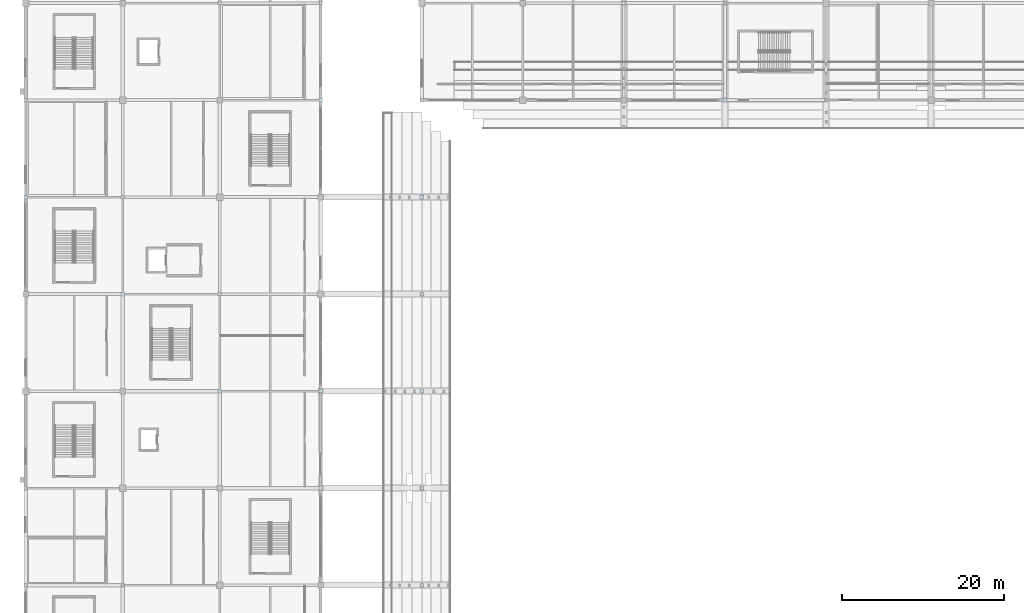
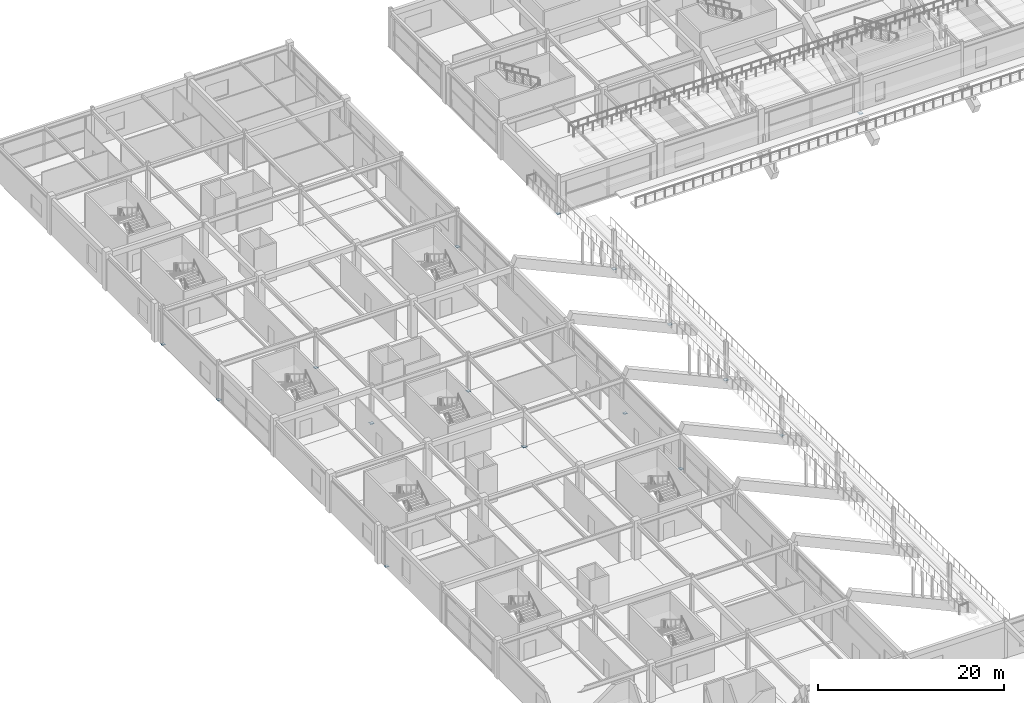
# One storey, part 78 of 128: 16 plates.
"""IFC4 building model written with IfcOpenShell, lengths in metres."""

import ifcopenshell
import ifcopenshell.guid

model = None  # the IFC model being written
_history = None  # IfcOwnerHistory: only IFC2X3 demands one
_inside = {}  # id of a spatial element -> (the spatial element, [elements in it])
_under = {}  # id of a project, library or spatial element -> (it, [spatial elements below it])
_declared = {}  # id of a project -> (the project, [libraries it declares])
_typed = {}  # id of a type object -> (the type object, [elements of that type])
_made_of = {}  # id of a material, layer set ... -> (it, [elements and type objects made of it])


def new_model(schema):
    """Start an empty IFC model of exactly this schema.

    Asked for "IFC4X3", IfcOpenShell would pick the latest addendum, in which some entities
    have other attributes; the version numbers below select the first issue.
    IFC2X3 requires an IfcOwnerHistory on every rooted entity: one is made here for all.
    """
    global model, _history
    if schema == "IFC4X3":
        model = ifcopenshell.file(schema_version=(4, 3, 0, 0))
    else:
        model = ifcopenshell.file(schema=schema)
    _inside.clear()
    _under.clear()
    _declared.clear()
    _typed.clear()
    _made_of.clear()
    _history = None
    if model.schema == "IFC2X3":
        org = make("IfcOrganization", Name="unknown")
        user = make(
            "IfcPersonAndOrganization",
            ThePerson=make("IfcPerson", FamilyName="unknown"),
            TheOrganization=org,
        )
        app = make(
            "IfcApplication",
            ApplicationDeveloper=org,
            Version="unknown",
            ApplicationFullName="unknown",
            ApplicationIdentifier="unknown",
        )
        _history = make(
            "IfcOwnerHistory",
            OwningUser=user,
            OwningApplication=app,
            ChangeAction="ADDED",
            CreationDate=0,
        )
    return model


def make(cls, **values):
    """One entity of the class cls with the attributes given. An attribute that is None is left unset."""
    return model.create_entity(
        cls, **{name: value for name, value in values.items() if value is not None}
    )


def rooted(cls, **values):
    """An entity with a GlobalId (a new one), such as an element, a storey or a relation."""
    return make(cls, GlobalId=ifcopenshell.guid.new(), OwnerHistory=_history, **values)


def si_unit(unit_type, name, prefix=None):
    """IfcSIUnit, for example si_unit("LENGTHUNIT", "METRE", prefix="MILLI")."""
    return make("IfcSIUnit", UnitType=unit_type, Prefix=prefix, Name=name)


def assignment(units):
    """IfcUnitAssignment: the units of a project."""
    return None if units is None else make("IfcUnitAssignment", Units=units)


def point(xyz):
    """IfcCartesianPoint."""
    return None if xyz is None else make("IfcCartesianPoint", Coordinates=xyz)


def direction(xyz):
    """IfcDirection."""
    return None if xyz is None else make("IfcDirection", DirectionRatios=xyz)


def frame(location, z_axis=None, x_axis=None):
    """IfcAxis2Placement3D, a coordinate frame: its origin and axes. An axis left out is left unset."""
    return make(
        "IfcAxis2Placement3D",
        Location=point(location),
        Axis=direction(z_axis),
        RefDirection=direction(x_axis),
    )


def frame_2d(location, x_axis=None):
    """IfcAxis2Placement2D, a coordinate frame in the plane: its origin and x axis."""
    return make(
        "IfcAxis2Placement2D", Location=point(location), RefDirection=direction(x_axis)
    )


def origin():
    """The frame at (0, 0, 0) with its axes left unset."""
    return frame((0.0, 0.0, 0.0))


def origin_2d():
    """The frame at (0, 0) in the plane with its x axis left unset."""
    return frame_2d((0.0, 0.0))


def place(relative_to, where):
    """IfcLocalPlacement: puts the frame where relative to a parent placement (None: the world)."""
    return make(
        "IfcLocalPlacement", PlacementRelTo=relative_to, RelativePlacement=where
    )


def context(
    kind, dimensions, precision=None, world=None, true_north=None, identifier=None
):
    """IfcGeometricRepresentationContext, for example the 3D "Model" context."""
    return make(
        "IfcGeometricRepresentationContext",
        ContextIdentifier=identifier,
        ContextType=kind,
        CoordinateSpaceDimension=dimensions,
        Precision=precision,
        WorldCoordinateSystem=world,
        TrueNorth=true_north,
    )


def subcontext(parent, identifier, kind, view, scale=None):
    """IfcGeometricRepresentationSubContext, for example "Body" below "Model"."""
    return make(
        "IfcGeometricRepresentationSubContext",
        ContextIdentifier=identifier,
        ContextType=kind,
        ParentContext=parent,
        TargetScale=scale,
        TargetView=view,
    )


def project(units=None, contexts=None):
    """IfcProject with its units and contexts."""
    return rooted(
        "IfcProject",
        Name="project",
        RepresentationContexts=contexts,
        UnitsInContext=assignment(units),
    )


def spatial(cls, under=None, at=None, **own):
    """A site, building, storey or space (cls), placed at a placement, below another one or the project."""
    s = rooted(cls, ObjectPlacement=at, **own)
    if under is not None:
        _under.setdefault(under.id(), (under, []))[1].append(s)
    return s


def profile(cls, at=None, kind="AREA", **sizes):
    """A parametric profile (cls). Its sizes go by their IFC names, for example OverallWidth=200.0."""
    return make(cls, ProfileType=kind, Position=at, **sizes)


def rectangle(**sizes):
    """IfcRectangleProfileDef."""
    return profile("IfcRectangleProfileDef", **sizes)


def extrude(swept, where, along, depth):
    """IfcExtrudedAreaSolid: the profile swept, set in the frame where, extruded along a direction by depth."""
    return make(
        "IfcExtrudedAreaSolid",
        SweptArea=swept,
        Position=where,
        ExtrudedDirection=direction(along),
        Depth=depth,
    )


def shape(context_of_items, identifier, shape_type, items):
    """IfcShapeRepresentation: the items that make up one representation, for example the "Body"."""
    return make(
        "IfcShapeRepresentation",
        ContextOfItems=context_of_items,
        RepresentationIdentifier=identifier,
        RepresentationType=shape_type,
        Items=items,
    )


def material(Name=None, Category=None):
    """IfcMaterial."""
    return make("IfcMaterial", Name=Name, Category=Category)


def layer(
    of_material, thickness, ventilated=None, Name=None, Category=None, Priority=None
):
    """IfcMaterialLayer: one layer of a wall or slab, of a material (None: an air gap)."""
    return make(
        "IfcMaterialLayer",
        Material=of_material,
        LayerThickness=thickness,
        IsVentilated=ventilated,
        Name=Name,
        Category=Category,
        Priority=Priority,
    )


def layer_set(layers, Name=None):
    """IfcMaterialLayerSet."""
    return make("IfcMaterialLayerSet", MaterialLayers=layers, LayerSetName=Name)


def made_of(thing, what):
    """Note that an element or type object is made of a material, layer set ...; save() writes the relation."""
    if what is not None:
        _made_of.setdefault(what.id(), (what, []))[1].append(thing)
    return thing


def type_object(cls, material=None, **own):
    """A type object (cls), such as IfcWallType, which elements share."""
    return made_of(rooted(cls, **own), material)


def element(
    cls,
    number,
    at=None,
    inside=None,
    cuts=None,
    type_object=None,
    material=None,
    context=None,
    identifier="Body",
    shape_type=None,
    held_by="IfcProductDefinitionShape",
    body=None,
    shapes=None,
    **own,
):
    """One element of the class cls, such as IfcWall. Its Tag is "e" and its number.

    at: its placement. inside: the storey or other place that contains it. cuts: it is an
    opening in that element (IfcRelVoidsElement). A single representation is given by context,
    identifier, shape_type and body (its items); several are given by shapes. held_by: the class
    of the entity that holds the representations. save() writes the other relations.
    """
    e = rooted(cls, Tag="e%d" % number, ObjectPlacement=at, **own)
    if body is not None:
        shapes = [shape(context, identifier, shape_type, body)]
    if shapes is not None:
        e.Representation = make(held_by, Representations=shapes)
    if inside is not None:
        _inside.setdefault(inside.id(), (inside, []))[1].append(e)
    if cuts is not None:
        rooted(
            "IfcRelVoidsElement", RelatingBuildingElement=cuts, RelatedOpeningElement=e
        )
    if type_object is not None:
        _typed.setdefault(type_object.id(), (type_object, []))[1].append(e)
    return made_of(e, material)


def aggregate(whole, parts):
    """IfcRelAggregates: a whole, such as a stair, and the parts it consists of."""
    return rooted("IfcRelAggregates", RelatingObject=whole, RelatedObjects=parts)


def save(model, path):
    """Write the relations noted so far, then the file.

    IfcRelAggregates (storeys below a building ...), IfcRelContainedInSpatialStructure (elements
    in a storey), IfcRelDefinesByType, IfcRelAssociatesMaterial and IfcRelDeclares: one each for
    every whole, place, type object, material and project.
    """
    for whole, parts in _under.values():
        aggregate(whole, parts)
    for where, things in _inside.values():
        rooted(
            "IfcRelContainedInSpatialStructure",
            RelatedElements=things,
            RelatingStructure=where,
        )
    for kind, things in _typed.values():
        rooted("IfcRelDefinesByType", RelatedObjects=things, RelatingType=kind)
    for what, things in _made_of.values():
        rooted("IfcRelAssociatesMaterial", RelatedObjects=things, RelatingMaterial=what)
    for by, libraries in _declared.values():
        rooted("IfcRelDeclares", RelatingContext=by, RelatedDefinitions=libraries)
    model.write(path)


model = new_model("IFC4")

# Units and contexts
model_context = context("Model", 3, precision=1e-05, world=origin(), true_north=direction((0.0, 1.0)))
body_context = subcontext(model_context, "Body", "Model", "MODEL_VIEW")
ifc_project = project(units=[si_unit("LENGTHUNIT", "METRE"), si_unit("AREAUNIT", "SQUARE_METRE"), si_unit("VOLUMEUNIT", "CUBIC_METRE"), si_unit("PLANEANGLEUNIT", "RADIAN"), si_unit("MASSUNIT", "GRAM", prefix="KILO")], contexts=[model_context])

# Site, building, storey
site_placement = place(None, origin())
site = spatial("IfcSite", under=ifc_project, at=site_placement, CompositionType="ELEMENT")
building_placement = place(site_placement, origin())
building = spatial("IfcBuilding", under=site, at=building_placement, Name="Kazenohara Klinker Stadium", CompositionType="ELEMENT")
storey_placement = place(building_placement, frame((0.0, 0.0, 15.300048828125)))
storey = spatial("IfcBuildingStorey", under=building, at=storey_placement, Name="L03", CompositionType="ELEMENT", Elevation=15.300048828125)

# Plates
ifc_material = material(Name="Steel S355", Category="steel")
ifc_layer_1 = layer(ifc_material, 0.02001953125)
ifc_layer_set_1 = layer_set([ifc_layer_1], Name="Steel S355")
plate_type_1 = type_object("IfcPlateType", Name="PLT-GP01", PredefinedType="USERDEFINED", material=ifc_layer_set_1)
plate_1_placement = place(storey_placement, frame((0.0, 84.0, -0.010009765625), z_axis=(0.0, 0.0, 1.0), x_axis=(1.0, 0.0, 0.0)))
element("IfcPlate", 1, at=plate_1_placement, inside=storey, type_object=plate_type_1, Name="Hollow column end-cap plate GP01 L03 1/H", ObjectType="GUSSET PLATE", PredefinedType="USERDEFINED", context=body_context, shape_type="SweptSolid", body=[
    extrude(rectangle(XDim=0.389892578125, YDim=0.389892578125, at=origin_2d()), origin(), (0.0, 0.0, 1.0), 0.02001953125),
])
plate_2_placement = place(storey_placement, frame((0.0, 120.0, -0.010009765625), z_axis=(0.0, 0.0, 1.0), x_axis=(1.0, 0.0, 0.0)))
element("IfcPlate", 2, at=plate_2_placement, inside=storey, type_object=plate_type_1, Name="Hollow column end-cap plate GP01 L03 1/L", ObjectType="GUSSET PLATE", PredefinedType="USERDEFINED", context=body_context, shape_type="SweptSolid", body=[
    extrude(rectangle(XDim=0.43994140625, YDim=0.43994140625, at=origin_2d()), origin(), (0.0, 0.0, 1.0), 0.02001953125),
])
plate_3_placement = place(storey_placement, frame((0.0, 132.0, -0.010009765625), z_axis=(0.0, 0.0, 1.0), x_axis=(1.0, 0.0, 0.0)))
element("IfcPlate", 3, at=plate_3_placement, inside=storey, type_object=plate_type_1, Name="Hollow column end-cap plate GP01 L03 1/M", ObjectType="GUSSET PLATE", PredefinedType="USERDEFINED", context=body_context, shape_type="SweptSolid", body=[
    extrude(rectangle(XDim=0.389892578125, YDim=0.389892578125, at=origin_2d()), origin(), (0.0, 0.0, 1.0), 0.02001953125),
])
plate_4_placement = place(storey_placement, frame((12.0, 108.0, -0.010009765625), z_axis=(0.0, 0.0, 1.0), x_axis=(1.0, 0.0, 0.0)))
element("IfcPlate", 4, at=plate_4_placement, inside=storey, type_object=plate_type_1, Name="Hollow column end-cap plate GP01 L03 2/K", ObjectType="GUSSET PLATE", PredefinedType="USERDEFINED", context=body_context, shape_type="SweptSolid", body=[
    extrude(rectangle(XDim=0.43994140625, YDim=0.43994140625, at=origin_2d()), origin(), (0.0, 0.0, 1.0), 0.02001953125),
])
plate_5_placement = place(storey_placement, frame((12.0, 120.0, -0.010009765625), z_axis=(0.0, 0.0, 1.0), x_axis=(1.0, 0.0, 0.0)))
element("IfcPlate", 5, at=plate_5_placement, inside=storey, type_object=plate_type_1, Name="Hollow column end-cap plate GP01 L03 2/L", ObjectType="GUSSET PLATE", PredefinedType="USERDEFINED", context=body_context, shape_type="SweptSolid", body=[
    extrude(rectangle(XDim=0.389892578125, YDim=0.389892578125, at=origin_2d()), origin(), (0.0, 0.0, 1.0), 0.02001953125),
])
plate_6_placement = place(storey_placement, frame((24.0, 96.0, -0.010009765625), z_axis=(0.0, 0.0, 1.0), x_axis=(1.0, 0.0, 0.0)))
element("IfcPlate", 6, at=plate_6_placement, inside=storey, type_object=plate_type_1, Name="Hollow column end-cap plate GP01 L03 3/J", ObjectType="GUSSET PLATE", PredefinedType="USERDEFINED", context=body_context, shape_type="SweptSolid", body=[
    extrude(rectangle(XDim=0.43994140625, YDim=0.43994140625, at=origin_2d()), origin(), (0.0, 0.0, 1.0), 0.02001953125),
])
for number, where, z_axis, x_axis, name in (
    (7, (24.0, 108.0, -0.010009765625), (0.0, 0.0, 1.0), (1.0, 0.0, 0.0), "Hollow column end-cap plate GP01 L03 3/K"),
    (8, (36.5, 96.0, -0.010009765625), (0.0, 0.0, 1.0), (1.0, 0.0, 0.0), "Hollow column end-cap plate GP01 L03 4/J"),
    (9, (49.0, 108.0, -0.010009765625), (0.0, 0.0, 1.0), (1.0, 0.0, 0.0), "Hollow column end-cap plate GP01 L03 5/K"),
):
    element("IfcPlate", number, at=place(storey_placement, frame(where, z_axis=z_axis, x_axis=x_axis)), inside=storey, type_object=plate_type_1, Name=name, ObjectType="GUSSET PLATE", PredefinedType="USERDEFINED", context=body_context, shape_type="SweptSolid", body=[
        extrude(rectangle(XDim=0.389892578125, YDim=0.389892578125, at=origin_2d()), origin(), (0.0, 0.0, 1.0), 0.02001953125),
    ])
ifc_layer_2 = layer(ifc_material, 0.02197265625)
ifc_layer_set_2 = layer_set([ifc_layer_2], Name="Steel S355")
plate_type_2 = type_object("IfcPlateType", Name="PLT-GP02", PredefinedType="USERDEFINED", material=ifc_layer_set_2)
for number, where, z_axis, x_axis, name in (
    (10, (36.5, 84.0, -0.010986328125), (0.0, 0.0, 1.0), (1.0, 0.0, 0.0), "Hollow column end-cap plate GP02 L03 4/H"),
    (11, (49.0, 120.0, -0.010986328125), (0.0, 0.0, 1.0), (1.0, 0.0, 0.0), "Hollow column end-cap plate GP02 L03 5/L"),
):
    element("IfcPlate", number, at=place(storey_placement, frame(where, z_axis=z_axis, x_axis=x_axis)), inside=storey, type_object=plate_type_2, Name=name, ObjectType="GUSSET PLATE", PredefinedType="USERDEFINED", context=body_context, shape_type="SweptSolid", body=[
        extrude(rectangle(XDim=0.43994140625, YDim=0.43994140625, at=origin_2d()), origin(), (0.0, 0.0, 1.0), 0.02197265625),
    ])
plate_7_placement = place(storey_placement, frame((49.0, 132.0, -0.010986328125), z_axis=(0.0, 0.0, 1.0), x_axis=(1.0, 0.0, 0.0)))
element("IfcPlate", 12, at=plate_7_placement, inside=storey, type_object=plate_type_2, Name="Hollow column end-cap plate GP02 L03 5/M", ObjectType="GUSSET PLATE", PredefinedType="USERDEFINED", context=body_context, shape_type="SweptSolid", body=[
    extrude(rectangle(XDim=0.389892578125, YDim=0.389892578125, at=origin_2d()), origin(), (0.0, 0.0, 1.0), 0.02197265625),
])
ifc_layer_3 = layer(ifc_material, 0.02392578125)
ifc_layer_set_3 = layer_set([ifc_layer_3], Name="Steel S355")
plate_type_3 = type_object("IfcPlateType", Name="PLT-GP03", PredefinedType="USERDEFINED", material=ifc_layer_set_3)
plate_8_placement = place(storey_placement, frame((49.0, 84.0, -0.011962890625), z_axis=(0.0, 0.0, 1.0), x_axis=(1.0, 0.0, 0.0)))
element("IfcPlate", 13, at=plate_8_placement, inside=storey, type_object=plate_type_3, Name="Hollow column end-cap plate GP03 L03 5/H", ObjectType="GUSSET PLATE", PredefinedType="USERDEFINED", context=body_context, shape_type="SweptSolid", body=[
    extrude(rectangle(XDim=0.389892578125, YDim=0.389892578125, at=origin_2d()), origin(), (0.0, 0.0, 1.0), 0.02392578125),
])
ifc_layer_4 = layer(ifc_material, 0.02490234375)
ifc_layer_set_4 = layer_set([ifc_layer_4], Name="Steel S355")
plate_type_4 = type_object("IfcPlateType", Name="PLT-GP04", PredefinedType="USERDEFINED", material=ifc_layer_set_4)
for number, where, z_axis, x_axis, name in (
    (14, (36.5, 132.0, -0.012451171875), (0.0, 0.0, 1.0), (1.0, 0.0, 0.0), "Hollow column end-cap plate GP04 L03 4/M"),
    (15, (49.0, 96.0, -0.012451171875), (0.0, 0.0, 1.0), (1.0, 0.0, 0.0), "Hollow column end-cap plate GP04 L03 5/J"),
    (16, (86.5, 132.0, -0.012451171875), (0.0, 0.0, 1.0), (1.0, 0.0, 0.0), "Hollow column end-cap plate GP04 L03 8/M"),
):
    element("IfcPlate", number, at=place(storey_placement, frame(where, z_axis=z_axis, x_axis=x_axis)), inside=storey, type_object=plate_type_4, Name=name, ObjectType="GUSSET PLATE", PredefinedType="USERDEFINED", context=body_context, shape_type="SweptSolid", body=[
        extrude(rectangle(XDim=0.43994140625, YDim=0.43994140625, at=origin_2d()), origin(), (0.0, 0.0, 1.0), 0.02490234375),
    ])

save(model, "model.ifc")
